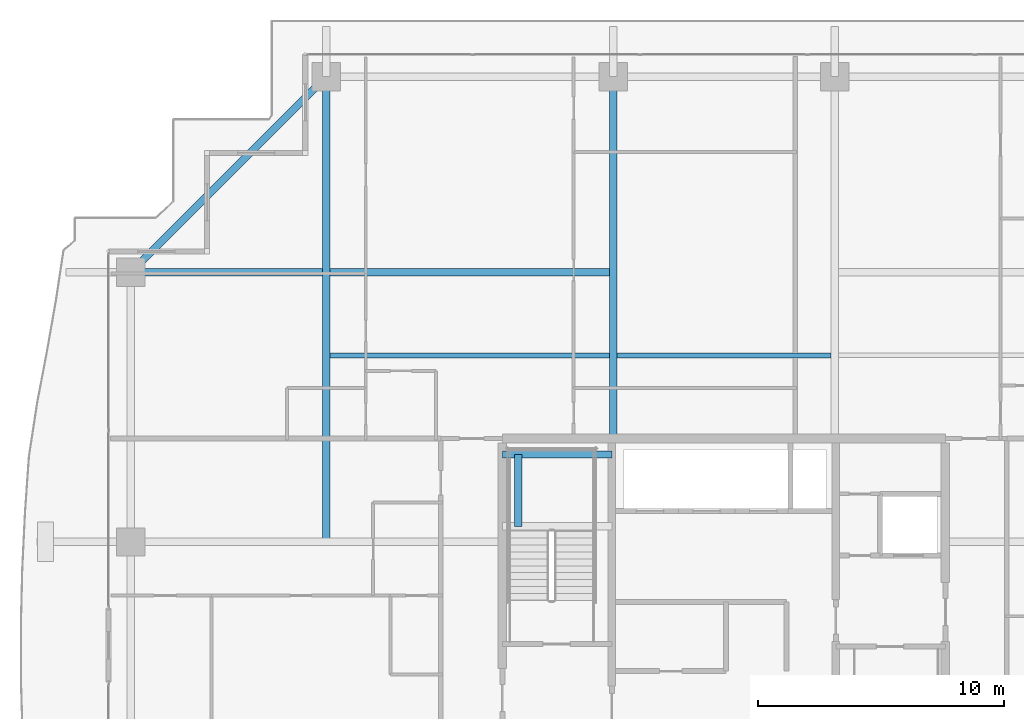
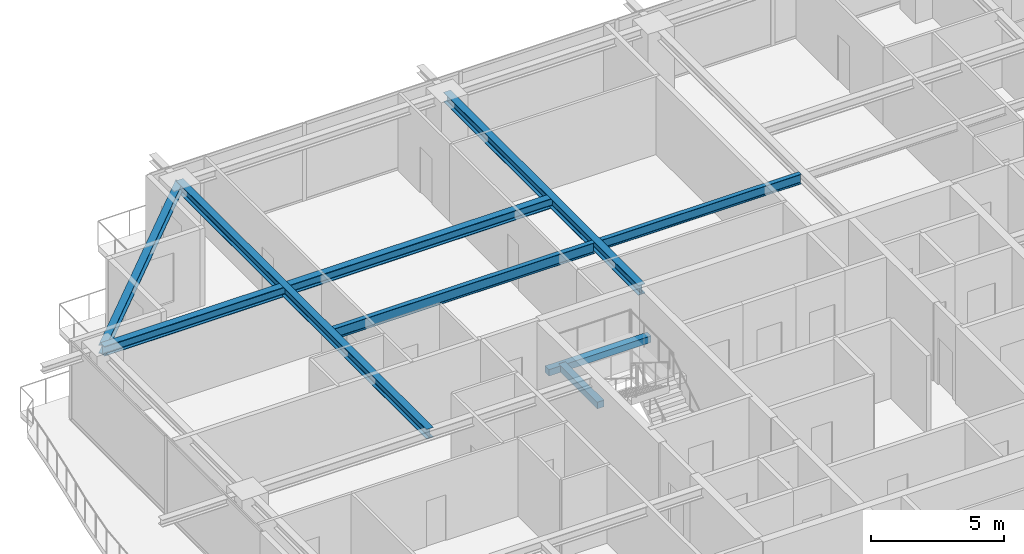
# One storey, part 17 of 35: 8 beams.
"""IFC4 building model written with IfcOpenShell, lengths in metres."""

import ifcopenshell
import ifcopenshell.guid

model = None  # the IFC model being written
_history = None  # IfcOwnerHistory: only IFC2X3 demands one
_inside = {}  # id of a spatial element -> (the spatial element, [elements in it])
_under = {}  # id of a project, library or spatial element -> (it, [spatial elements below it])
_declared = {}  # id of a project -> (the project, [libraries it declares])
_typed = {}  # id of a type object -> (the type object, [elements of that type])
_made_of = {}  # id of a material, layer set ... -> (it, [elements and type objects made of it])


def new_model(schema):
    """Start an empty IFC model of exactly this schema.

    Asked for "IFC4X3", IfcOpenShell would pick the latest addendum, in which some entities
    have other attributes; the version numbers below select the first issue.
    IFC2X3 requires an IfcOwnerHistory on every rooted entity: one is made here for all.
    """
    global model, _history
    if schema == "IFC4X3":
        model = ifcopenshell.file(schema_version=(4, 3, 0, 0))
    else:
        model = ifcopenshell.file(schema=schema)
    _inside.clear()
    _under.clear()
    _declared.clear()
    _typed.clear()
    _made_of.clear()
    _history = None
    if model.schema == "IFC2X3":
        org = make("IfcOrganization", Name="unknown")
        user = make(
            "IfcPersonAndOrganization",
            ThePerson=make("IfcPerson", FamilyName="unknown"),
            TheOrganization=org,
        )
        app = make(
            "IfcApplication",
            ApplicationDeveloper=org,
            Version="unknown",
            ApplicationFullName="unknown",
            ApplicationIdentifier="unknown",
        )
        _history = make(
            "IfcOwnerHistory",
            OwningUser=user,
            OwningApplication=app,
            ChangeAction="ADDED",
            CreationDate=0,
        )
    return model


def make(cls, **values):
    """One entity of the class cls with the attributes given. An attribute that is None is left unset."""
    return model.create_entity(
        cls, **{name: value for name, value in values.items() if value is not None}
    )


def rooted(cls, **values):
    """An entity with a GlobalId (a new one), such as an element, a storey or a relation."""
    return make(cls, GlobalId=ifcopenshell.guid.new(), OwnerHistory=_history, **values)


def si_unit(unit_type, name, prefix=None):
    """IfcSIUnit, for example si_unit("LENGTHUNIT", "METRE", prefix="MILLI")."""
    return make("IfcSIUnit", UnitType=unit_type, Prefix=prefix, Name=name)


def assignment(units):
    """IfcUnitAssignment: the units of a project."""
    return None if units is None else make("IfcUnitAssignment", Units=units)


def point(xyz):
    """IfcCartesianPoint."""
    return None if xyz is None else make("IfcCartesianPoint", Coordinates=xyz)


def direction(xyz):
    """IfcDirection."""
    return None if xyz is None else make("IfcDirection", DirectionRatios=xyz)


def frame(location, z_axis=None, x_axis=None):
    """IfcAxis2Placement3D, a coordinate frame: its origin and axes. An axis left out is left unset."""
    return make(
        "IfcAxis2Placement3D",
        Location=point(location),
        Axis=direction(z_axis),
        RefDirection=direction(x_axis),
    )


def frame_2d(location, x_axis=None):
    """IfcAxis2Placement2D, a coordinate frame in the plane: its origin and x axis."""
    return make(
        "IfcAxis2Placement2D", Location=point(location), RefDirection=direction(x_axis)
    )


def origin():
    """The frame at (0, 0, 0) with its axes left unset."""
    return frame((0.0, 0.0, 0.0))


def origin_2d():
    """The frame at (0, 0) in the plane with its x axis left unset."""
    return frame_2d((0.0, 0.0))


def place(relative_to, where):
    """IfcLocalPlacement: puts the frame where relative to a parent placement (None: the world)."""
    return make(
        "IfcLocalPlacement", PlacementRelTo=relative_to, RelativePlacement=where
    )


def context(
    kind, dimensions, precision=None, world=None, true_north=None, identifier=None
):
    """IfcGeometricRepresentationContext, for example the 3D "Model" context."""
    return make(
        "IfcGeometricRepresentationContext",
        ContextIdentifier=identifier,
        ContextType=kind,
        CoordinateSpaceDimension=dimensions,
        Precision=precision,
        WorldCoordinateSystem=world,
        TrueNorth=true_north,
    )


def subcontext(parent, identifier, kind, view, scale=None):
    """IfcGeometricRepresentationSubContext, for example "Body" below "Model"."""
    return make(
        "IfcGeometricRepresentationSubContext",
        ContextIdentifier=identifier,
        ContextType=kind,
        ParentContext=parent,
        TargetScale=scale,
        TargetView=view,
    )


def project(units=None, contexts=None):
    """IfcProject with its units and contexts."""
    return rooted(
        "IfcProject",
        Name="project",
        RepresentationContexts=contexts,
        UnitsInContext=assignment(units),
    )


def spatial(cls, under=None, at=None, **own):
    """A site, building, storey or space (cls), placed at a placement, below another one or the project."""
    s = rooted(cls, ObjectPlacement=at, **own)
    if under is not None:
        _under.setdefault(under.id(), (under, []))[1].append(s)
    return s


def profile(cls, at=None, kind="AREA", **sizes):
    """A parametric profile (cls). Its sizes go by their IFC names, for example OverallWidth=200.0."""
    return make(cls, ProfileType=kind, Position=at, **sizes)


def rectangle(**sizes):
    """IfcRectangleProfileDef."""
    return profile("IfcRectangleProfileDef", **sizes)


def i_section(**sizes):
    """IfcIShapeProfileDef."""
    return profile("IfcIShapeProfileDef", **sizes)


def extrude(swept, where, along, depth):
    """IfcExtrudedAreaSolid: the profile swept, set in the frame where, extruded along a direction by depth."""
    return make(
        "IfcExtrudedAreaSolid",
        SweptArea=swept,
        Position=where,
        ExtrudedDirection=direction(along),
        Depth=depth,
    )


def shape(context_of_items, identifier, shape_type, items):
    """IfcShapeRepresentation: the items that make up one representation, for example the "Body"."""
    return make(
        "IfcShapeRepresentation",
        ContextOfItems=context_of_items,
        RepresentationIdentifier=identifier,
        RepresentationType=shape_type,
        Items=items,
    )


def source(mapping_origin, context_of_items, identifier, shape_type, items):
    """IfcRepresentationMap: a shape defined once, which mapped items show again and again."""
    return make(
        "IfcRepresentationMap",
        MappingOrigin=mapping_origin,
        MappedRepresentation=shape(context_of_items, identifier, shape_type, items),
    )


def transform(
    local_origin,
    x_axis=None,
    y_axis=None,
    z_axis=None,
    scale=None,
    scale2=None,
    scale3=None,
    uniform=True,
):
    """IfcCartesianTransformationOperator3D, or its non-uniform kind. x_axis, y_axis, z_axis: its Axis1, 2, 3."""
    if uniform:
        return make(
            "IfcCartesianTransformationOperator3D",
            Axis1=direction(x_axis),
            Axis2=direction(y_axis),
            LocalOrigin=point(local_origin),
            Scale=scale,
            Axis3=direction(z_axis),
        )
    return make(
        "IfcCartesianTransformationOperator3DnonUniform",
        Axis1=direction(x_axis),
        Axis2=direction(y_axis),
        LocalOrigin=point(local_origin),
        Scale=scale,
        Axis3=direction(z_axis),
        Scale2=scale2,
        Scale3=scale3,
    )


def mapped(mapping_source, mapping_target):
    """IfcMappedItem: shows the shape of a source again, moved by a transform."""
    return make(
        "IfcMappedItem", MappingSource=mapping_source, MappingTarget=mapping_target
    )


def material(Name=None, Category=None):
    """IfcMaterial."""
    return make("IfcMaterial", Name=Name, Category=Category)


def material_profile(
    of_material, cross_section, Name=None, Category=None, Priority=None
):
    """IfcMaterialProfile: a cross section and its material."""
    return make(
        "IfcMaterialProfile",
        Name=Name,
        Material=of_material,
        Profile=cross_section,
        Priority=Priority,
        Category=Category,
    )


def profile_set(profiles, Name=None, composite=None):
    """IfcMaterialProfileSet."""
    return make(
        "IfcMaterialProfileSet",
        Name=Name,
        MaterialProfiles=profiles,
        CompositeProfile=composite,
    )


def made_of(thing, what):
    """Note that an element or type object is made of a material, layer set ...; save() writes the relation."""
    if what is not None:
        _made_of.setdefault(what.id(), (what, []))[1].append(thing)
    return thing


def type_object(cls, material=None, **own):
    """A type object (cls), such as IfcWallType, which elements share."""
    return made_of(rooted(cls, **own), material)


def element(
    cls,
    number,
    at=None,
    inside=None,
    cuts=None,
    type_object=None,
    material=None,
    context=None,
    identifier="Body",
    shape_type=None,
    held_by="IfcProductDefinitionShape",
    body=None,
    shapes=None,
    **own,
):
    """One element of the class cls, such as IfcWall. Its Tag is "e" and its number.

    at: its placement. inside: the storey or other place that contains it. cuts: it is an
    opening in that element (IfcRelVoidsElement). A single representation is given by context,
    identifier, shape_type and body (its items); several are given by shapes. held_by: the class
    of the entity that holds the representations. save() writes the other relations.
    """
    e = rooted(cls, Tag="e%d" % number, ObjectPlacement=at, **own)
    if body is not None:
        shapes = [shape(context, identifier, shape_type, body)]
    if shapes is not None:
        e.Representation = make(held_by, Representations=shapes)
    if inside is not None:
        _inside.setdefault(inside.id(), (inside, []))[1].append(e)
    if cuts is not None:
        rooted(
            "IfcRelVoidsElement", RelatingBuildingElement=cuts, RelatedOpeningElement=e
        )
    if type_object is not None:
        _typed.setdefault(type_object.id(), (type_object, []))[1].append(e)
    return made_of(e, material)


def aggregate(whole, parts):
    """IfcRelAggregates: a whole, such as a stair, and the parts it consists of."""
    return rooted("IfcRelAggregates", RelatingObject=whole, RelatedObjects=parts)


def save(model, path):
    """Write the relations noted so far, then the file.

    IfcRelAggregates (storeys below a building ...), IfcRelContainedInSpatialStructure (elements
    in a storey), IfcRelDefinesByType, IfcRelAssociatesMaterial and IfcRelDeclares: one each for
    every whole, place, type object, material and project.
    """
    for whole, parts in _under.values():
        aggregate(whole, parts)
    for where, things in _inside.values():
        rooted(
            "IfcRelContainedInSpatialStructure",
            RelatedElements=things,
            RelatingStructure=where,
        )
    for kind, things in _typed.values():
        rooted("IfcRelDefinesByType", RelatedObjects=things, RelatingType=kind)
    for what, things in _made_of.values():
        rooted("IfcRelAssociatesMaterial", RelatedObjects=things, RelatingMaterial=what)
    for by, libraries in _declared.values():
        rooted("IfcRelDeclares", RelatingContext=by, RelatedDefinitions=libraries)
    model.write(path)


model = new_model("IFC4")

# Units and contexts
model_context = context("Model", 3, precision=1e-05, world=origin(), true_north=direction((0.0, 1.0)))
body_context = subcontext(model_context, "Body", "Model", "MODEL_VIEW")
ifc_project = project(units=[si_unit("LENGTHUNIT", "METRE"), si_unit("AREAUNIT", "SQUARE_METRE"), si_unit("VOLUMEUNIT", "CUBIC_METRE"), si_unit("PLANEANGLEUNIT", "RADIAN"), si_unit("MASSUNIT", "GRAM", prefix="KILO")], contexts=[model_context])

# Site, building, storey
site_placement = place(None, origin())
site = spatial("IfcSite", under=ifc_project, at=site_placement, CompositionType="ELEMENT")
building_placement = place(site_placement, origin())
building = spatial("IfcBuilding", under=site, at=building_placement, Name="Serunith Strait Residences", CompositionType="ELEMENT")
storey_placement = place(building_placement, frame((0.0, 0.0, 214.300048828125)))
storey = spatial("IfcBuildingStorey", under=building, at=storey_placement, Name="L53", CompositionType="ELEMENT", Elevation=214.300048828125)

# Beams
ifc_material_1 = material(Name="Steel S355J2", Category="steel")
ifc_material_profile_1 = material_profile(ifc_material_1, i_section(OverallWidth=0.18994140625, OverallDepth=0.449951171875, WebThickness=0.009521484375, FlangeThickness=0.0146484375, FilletRadius=0.02099609375, at=origin_2d()), Name="IPE 450")
ifc_profile_set_1 = profile_set([ifc_material_profile_1], Name="Steel S355J2")
beam_type_1 = type_object("IfcBeamType", Name="BM-IPE450", PredefinedType="JOIST", material=ifc_profile_set_1)
shared_shape_1 = source(origin(), body_context, "Body", "SweptSolid", [
    extrude(i_section(OverallWidth=0.18994140625, OverallDepth=0.449951171875, WebThickness=0.009521484375, FlangeThickness=0.0146484375, FilletRadius=0.02099609375, at=origin_2d()), origin(), (0.0, 0.0, 1.0), 8.699951171875),
])
beam_1_placement = place(storey_placement, frame((28.050048828125, 36.97509765625, 3.362060546875), z_axis=(1.0, 0.0, 0.0), x_axis=(0.0, 1.0, 0.0)))
element("IfcBeam", 1, at=beam_1_placement, inside=storey, type_object=beam_type_1, Name="L53 Composite Floor Joist 05", PredefinedType="JOIST", context=body_context, shape_type="MappedRepresentation", body=[
    mapped(shared_shape_1, transform((0.0, 0.0, 0.0), scale=1.0)),
])
ifc_material_profile_2 = material_profile(ifc_material_1, i_section(OverallWidth=0.300048828125, OverallDepth=0.449951171875, WebThickness=0.013916015625, FlangeThickness=0.02587890625, FilletRadius=0.027099609375, at=origin_2d()), Name="HEB 450")
ifc_profile_set_2 = profile_set([ifc_material_profile_2], Name="Steel S355J2")
beam_type_2 = type_object("IfcBeamType", Name="BM-HEB450", PredefinedType="BEAM", material=ifc_profile_set_2)
shared_shape_2 = source(origin(), body_context, "Body", "SweptSolid", [
    extrude(i_section(OverallWidth=0.300048828125, OverallDepth=0.449951171875, WebThickness=0.013916015625, FlangeThickness=0.02587890625, FilletRadius=0.027099609375, at=origin_2d()), origin(), (0.0, 0.0, 1.0), 14.699951171875),
])
beam_2_placement = place(storey_placement, frame((27.89990234375, 33.60009765625, 3.362060546875), z_axis=(0.0, 1.0, 0.0), x_axis=(-1.0, 0.0, 0.0)))
element("IfcBeam", 2, at=beam_2_placement, inside=storey, type_object=beam_type_2, Name="L53 Primary Floor Girder TC-N2", PredefinedType="BEAM", context=body_context, shape_type="MappedRepresentation", body=[
    mapped(shared_shape_2, transform((0.0, 0.0, 0.0), scale=1.0)),
])
shared_shape_3 = source(origin(), body_context, "Body", "SweptSolid", [
    extrude(i_section(OverallWidth=0.300048828125, OverallDepth=0.449951171875, WebThickness=0.013916015625, FlangeThickness=0.02587890625, FilletRadius=0.027099609375, at=origin_2d()), origin(), (0.0, 0.0, 1.0), 18.900146484375),
])
beam_3_placement = place(storey_placement, frame((16.25, 29.39990234375, 3.362060546875), z_axis=(0.0, 1.0, 0.0), x_axis=(-1.0, 0.0, 0.0)))
element("IfcBeam", 3, at=beam_3_placement, inside=storey, type_object=beam_type_2, Name="L53 Orthogonal Corner Girder TC-N1", PredefinedType="BEAM", context=body_context, shape_type="MappedRepresentation", body=[
    mapped(shared_shape_3, transform((0.0, 0.0, 0.0), scale=1.0)),
])
shared_shape_4 = source(origin(), body_context, "Body", "SweptSolid", [
    extrude(i_section(OverallWidth=0.300048828125, OverallDepth=0.449951171875, WebThickness=0.013916015625, FlangeThickness=0.02587890625, FilletRadius=0.027099609375, at=origin_2d()), origin(), (0.0, 0.0, 1.0), 19.599853515625),
])
beam_4_placement = place(storey_placement, frame((27.89990234375, 40.35009765625, 3.362060546875), z_axis=(-1.0, 0.0, 0.0), x_axis=(0.0, -1.0, 0.0)))
element("IfcBeam", 4, at=beam_4_placement, inside=storey, type_object=beam_type_2, Name="L53 Orthogonal Corner Girder TC-W4", PredefinedType="BEAM", context=body_context, shape_type="MappedRepresentation", body=[
    mapped(shared_shape_4, transform((0.0, 0.0, 0.0), scale=1.0)),
])
ifc_material_profile_3 = material_profile(ifc_material_1, i_section(OverallWidth=0.300048828125, OverallDepth=0.39990234375, WebThickness=0.013427734375, FlangeThickness=0.02392578125, FilletRadius=0.027099609375, at=origin_2d()), Name="HEB 400")
ifc_profile_set_3 = profile_set([ifc_material_profile_3], Name="Steel S355J2")
beam_type_3 = type_object("IfcBeamType", Name="BM-HEB400", PredefinedType="BEAM", material=ifc_profile_set_3)
shared_shape_5 = source(origin(), body_context, "Body", "SweptSolid", [
    extrude(i_section(OverallWidth=0.300048828125, OverallDepth=0.39990234375, WebThickness=0.013427734375, FlangeThickness=0.02392578125, FilletRadius=0.027099609375, at=origin_2d()), origin(), (0.0, 0.0, 1.0), 11.242919921875),
])
beam_5_placement = place(storey_placement, frame((16.25, 48.300048828125, 3.35693359375), z_axis=(-0.707106781187, -0.707106781187, 0.0), x_axis=(0.707106781187, -0.707106781187, 0.0)))
element("IfcBeam", 5, at=beam_5_placement, inside=storey, type_object=beam_type_3, Name="L53 Perimeter Ring Beam 12", PredefinedType="BEAM", context=body_context, shape_type="MappedRepresentation", body=[
    mapped(shared_shape_5, transform((0.0, 0.0, 0.0), scale=1.0)),
])
ifc_material_profile_4 = material_profile(ifc_material_1, i_section(OverallWidth=0.199951171875, OverallDepth=0.5, WebThickness=0.01025390625, FlangeThickness=0.01611328125, FilletRadius=0.02099609375, at=origin_2d()), Name="IPE 500")
ifc_profile_set_4 = profile_set([ifc_material_profile_4], Name="Steel S355J2")
beam_type_4 = type_object("IfcBeamType", Name="BM-IPE500", PredefinedType="JOIST", material=ifc_profile_set_4)
shared_shape_6 = source(origin(), body_context, "Body", "SweptSolid", [
    extrude(i_section(OverallWidth=0.199951171875, OverallDepth=0.5, WebThickness=0.01025390625, FlangeThickness=0.01611328125, FilletRadius=0.02099609375, at=origin_2d()), origin(), (0.0, 0.0, 1.0), 11.35009765625),
])
beam_6_placement = place(storey_placement, frame((16.39990234375, 36.97509765625, 3.3369140625), z_axis=(1.0, 0.0, 0.0), x_axis=(0.0, 1.0, 0.0)))
element("IfcBeam", 6, at=beam_6_placement, inside=storey, type_object=beam_type_4, Name="L53 Composite Floor Joist 04", PredefinedType="JOIST", context=body_context, shape_type="MappedRepresentation", body=[
    mapped(shared_shape_6, transform((0.0, 0.0, 0.0), scale=1.0)),
])
ifc_material_2 = material(Name="Concrete C60/75", Category="concrete")
ifc_material_profile_5 = material_profile(ifc_material_2, rectangle(XDim=0.300048828125, YDim=0.300048828125, at=origin_2d()), Name="RC 300x300")
ifc_profile_set_5 = profile_set([ifc_material_profile_5], Name="Concrete C60/75")
beam_type_5 = type_object("IfcBeamType", Name="BM-LAND-300x300", PredefinedType="BEAM", material=ifc_profile_set_5)
shared_shape_7 = source(origin(), body_context, "Body", "SweptSolid", [
    extrude(rectangle(XDim=0.300048828125, YDim=0.300048828125, at=origin_2d()), origin(), (0.0, 0.0, 1.0), 4.4501953125),
])
beam_7_placement = place(storey_placement, frame((23.39990234375, 32.949951171875, 1.574951171875), z_axis=(1.0, 0.0, 0.0), x_axis=(0.0, 1.0, 0.0)))
element("IfcBeam", 7, at=beam_7_placement, inside=storey, type_object=beam_type_5, Name="L53 ST-1 Landing Support Beam 2", PredefinedType="BEAM", context=body_context, shape_type="MappedRepresentation", body=[
    mapped(shared_shape_7, transform((0.0, 0.0, 0.0), scale=1.0)),
])
shared_shape_8 = source(origin(), body_context, "Body", "SweptSolid", [
    extrude(rectangle(XDim=0.300048828125, YDim=0.300048828125, at=origin_2d()), origin(), (0.0, 0.0, 1.0), 2.919921875),
])
beam_8_placement = place(storey_placement, frame((24.050048828125, 30.030029296875, 1.574951171875), z_axis=(0.0, 1.0, 0.0), x_axis=(-1.0, 0.0, 0.0)))
element("IfcBeam", 8, at=beam_8_placement, inside=storey, type_object=beam_type_5, Name="L53 ST-1 Landing Transverse Tie Beam", PredefinedType="BEAM", context=body_context, shape_type="MappedRepresentation", body=[
    mapped(shared_shape_8, transform((0.0, 0.0, 0.0), scale=1.0)),
])

save(model, "model.ifc")
